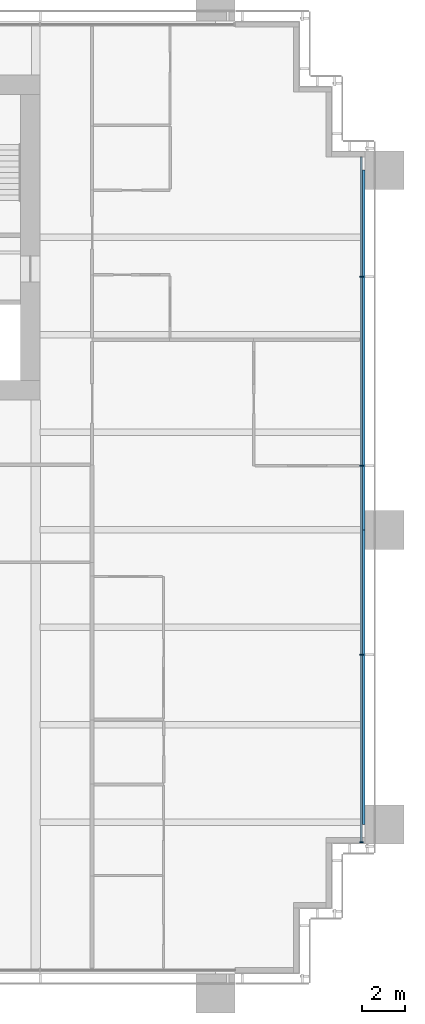
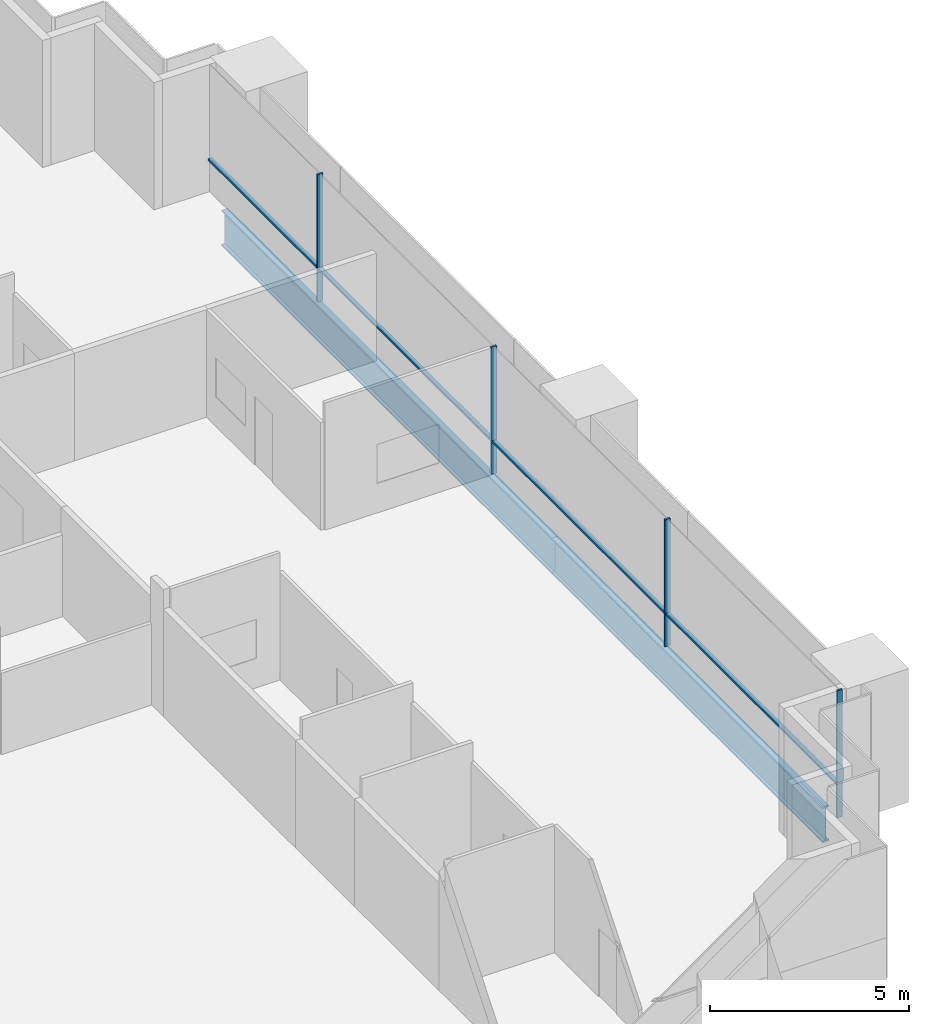
# One storey, part 9 of 20: 8 members, 2 beams, 1 element without a shape of its own.
"""IFC4 building model written with IfcOpenShell, lengths in metres."""

from ifc_helpers import new_model, si_unit, direction, frame, origin, origin_2d, place, context, subcontext, project, spatial, rectangle, i_section, extrude, material, material_profile, profile_set, type_object, element, aggregate, save


model = new_model("IFC4")

# Units and contexts
model_context = context("Model", 3, precision=1e-05, world=origin(), true_north=direction((0.0, 1.0)))
body_context = subcontext(model_context, "Body", "Model", "MODEL_VIEW")
ifc_project = project(units=[si_unit("LENGTHUNIT", "METRE"), si_unit("AREAUNIT", "SQUARE_METRE"), si_unit("VOLUMEUNIT", "CUBIC_METRE"), si_unit("PLANEANGLEUNIT", "RADIAN"), si_unit("MASSUNIT", "GRAM", prefix="KILO")], contexts=[model_context])

# Site, building, storey
site_placement = place(None, origin())
site = spatial("IfcSite", under=ifc_project, at=site_placement, CompositionType="ELEMENT")
building_placement = place(site_placement, origin())
building = spatial("IfcBuilding", under=site, at=building_placement, Name="Rattan Terrace Tower", CompositionType="ELEMENT")
storey_placement = place(building_placement, frame((0.0, 0.0, 40.60009765625)))
storey = spatial("IfcBuildingStorey", under=building, at=storey_placement, Name="L08", CompositionType="ELEMENT", Elevation=40.60009765625)

# Curtain wall, members
ifc_material_1 = material(Name="Aluminium and glass", Category="aluminium")
curtain_wall_type = type_object("IfcCurtainWallType", Name="Facade Unitised Curtain Wall", PredefinedType="NOTDEFINED", material=ifc_material_1)
curtain_wall_placement = place(storey_placement, origin())
curtain_wall = element("IfcCurtainWall", 1, at=curtain_wall_placement, inside=storey, type_object=curtain_wall_type, Name="Curtain wall L08-1", PredefinedType="NOTDEFINED")
ifc_material_2 = material(Name="Aluminium", Category="aluminium")
ifc_material_profile_1 = material_profile(ifc_material_2, rectangle(XDim=0.06005859375, YDim=0.159912109375, at=origin_2d()), Name="Aluminium 60x160")
ifc_profile_set_1 = profile_set([ifc_material_profile_1], Name="Aluminium")
member_type_1 = type_object("IfcMemberType", Name="Facade CW Mullion 60x160", PredefinedType="MULLION", material=ifc_profile_set_1)
member_1_placement = place(storey_placement, frame((32.830078125, -27.925048828125, 0.0), z_axis=(0.0, 0.0, 1.0), x_axis=(0.0, 1.0, 0.0)))
member_1 = element("IfcMember", 2, at=member_1_placement, type_object=member_type_1, Name="Mullion cwl-L08-001.1", PredefinedType="MULLION", context=body_context, shape_type="SweptSolid", body=[
    extrude(rectangle(XDim=0.06005859375, YDim=0.159912109375, at=origin_2d()), origin(), (0.0, 0.0, 1.0), 3.89990234375),
])
member_2_placement = place(storey_placement, frame((32.830078125, -19.27294921875, 0.0), z_axis=(0.0, 0.0, 1.0), x_axis=(0.0, 1.0, 0.0)))
member_2 = element("IfcMember", 3, at=member_2_placement, type_object=member_type_1, Name="Mullion cwl-L08-001.2", PredefinedType="MULLION", context=body_context, shape_type="SweptSolid", body=[
    extrude(rectangle(XDim=0.06005859375, YDim=0.159912109375, at=origin_2d()), origin(), (0.0, 0.0, 1.0), 3.89990234375),
])
member_3_placement = place(storey_placement, frame((32.830078125, -10.5458984375, 0.0), z_axis=(0.0, 0.0, 1.0), x_axis=(0.0, 1.0, 0.0)))
member_3 = element("IfcMember", 4, at=member_3_placement, type_object=member_type_1, Name="Mullion cwl-L08-001.3", PredefinedType="MULLION", context=body_context, shape_type="SweptSolid", body=[
    extrude(rectangle(XDim=0.06005859375, YDim=0.159912109375, at=origin_2d()), origin(), (0.0, 0.0, 1.0), 3.89990234375),
])
member_4_placement = place(storey_placement, frame((32.830078125, -1.819091796875, 0.0), z_axis=(0.0, 0.0, 1.0), x_axis=(0.0, 1.0, 0.0)))
member_4 = element("IfcMember", 5, at=member_4_placement, type_object=member_type_1, Name="Mullion cwl-L08-001.4", PredefinedType="MULLION", context=body_context, shape_type="SweptSolid", body=[
    extrude(rectangle(XDim=0.06005859375, YDim=0.159912109375, at=origin_2d()), origin(), (0.0, 0.0, 1.0), 3.89990234375),
])
ifc_material_3 = material(Name="Aluminium", Category="aluminium")
ifc_material_profile_2 = material_profile(ifc_material_3, rectangle(XDim=0.1201171875, YDim=0.06005859375, at=origin_2d()), Name="Aluminium 120x60")
ifc_profile_set_2 = profile_set([ifc_material_profile_2], Name="Aluminium")
member_type_2 = type_object("IfcMemberType", Name="Facade CW Transom 120x60", PredefinedType="USERDEFINED", material=ifc_profile_set_2)
member_5_placement = place(storey_placement, frame((32.830078125, -27.89501953125, 1.0), z_axis=(0.0, 1.0, 0.0), x_axis=(-1.0, 0.0, 0.0)))
member_5 = element("IfcMember", 6, at=member_5_placement, type_object=member_type_2, Name="Transom cwl-L08-001.1", ObjectType="TRANSOM", PredefinedType="USERDEFINED", context=body_context, shape_type="SweptSolid", body=[
    extrude(rectangle(XDim=0.1201171875, YDim=0.06005859375, at=origin_2d()), origin(), (0.0, 0.0, 1.0), 8.592041015625),
])
member_6_placement = place(storey_placement, frame((32.830078125, -19.242919921875, 1.0), z_axis=(0.0, 1.0, 0.0), x_axis=(-1.0, 0.0, 0.0)))
member_6 = element("IfcMember", 7, at=member_6_placement, type_object=member_type_2, Name="Transom cwl-L08-001.2", ObjectType="TRANSOM", PredefinedType="USERDEFINED", context=body_context, shape_type="SweptSolid", body=[
    extrude(rectangle(XDim=0.1201171875, YDim=0.06005859375, at=origin_2d()), origin(), (0.0, 0.0, 1.0), 8.6669921875),
])
member_7_placement = place(storey_placement, frame((32.830078125, -10.51611328125, 1.0), z_axis=(0.0, 1.0, 0.0), x_axis=(-1.0, 0.0, 0.0)))
member_7 = element("IfcMember", 8, at=member_7_placement, type_object=member_type_2, Name="Transom cwl-L08-001.3", ObjectType="TRANSOM", PredefinedType="USERDEFINED", context=body_context, shape_type="SweptSolid", body=[
    extrude(rectangle(XDim=0.1201171875, YDim=0.06005859375, at=origin_2d()), origin(), (0.0, 0.0, 1.0), 8.6669921875),
])
member_8_placement = place(storey_placement, frame((32.830078125, -1.7890625, 1.0), z_axis=(0.0, 1.0, 0.0), x_axis=(-1.0, 0.0, 0.0)))
member_8 = element("IfcMember", 9, at=member_8_placement, type_object=member_type_2, Name="Transom cwl-L08-001.4", ObjectType="TRANSOM", PredefinedType="USERDEFINED", context=body_context, shape_type="SweptSolid", body=[
    extrude(rectangle(XDim=0.1201171875, YDim=0.06005859375, at=origin_2d()), origin(), (0.0, 0.0, 1.0), 5.494140625),
])
aggregate(curtain_wall, [member_1, member_2, member_3, member_4, member_5, member_6, member_7, member_8])

# Beams
ifc_material_4 = material(Name="Steel S460", Category="steel")
ifc_material_profile_3 = material_profile(ifc_material_4, i_section(OverallWidth=0.179931640625, OverallDepth=1.10009765625, WebThickness=0.01611328125, FlangeThickness=0.050048828125, at=origin_2d()), Name="PG 1100x180-16-50")
ifc_profile_set_3 = profile_set([ifc_material_profile_3], Name="Steel S460")
beam_type = type_object("IfcBeamType", Name="Frame edge girder PG 1100x180-16-50", PredefinedType="SPANDREL", material=ifc_profile_set_3)
beam_1_placement = place(storey_placement, frame((32.909912109375, -27.10009765625, -0.75), z_axis=(0.0, 1.0, 0.0), x_axis=(-1.0, 0.0, 0.0)))
element("IfcBeam", 10, at=beam_1_placement, inside=storey, type_object=beam_type, Name="gdr-L08-005", PredefinedType="SPANDREL", context=body_context, shape_type="SweptSolid", body=[
    extrude(i_section(OverallWidth=0.179931640625, OverallDepth=1.10009765625, WebThickness=0.01611328125, FlangeThickness=0.050048828125, at=origin_2d()), origin(), (0.0, 0.0, 1.0), 13.60009765625),
])
beam_2_placement = place(storey_placement, frame((32.909912109375, -13.5, -0.75), z_axis=(0.0, 1.0, 0.0), x_axis=(-1.0, 0.0, 0.0)))
element("IfcBeam", 11, at=beam_2_placement, inside=storey, type_object=beam_type, Name="gdr-L08-007", PredefinedType="SPANDREL", context=body_context, shape_type="SweptSolid", body=[
    extrude(i_section(OverallWidth=0.179931640625, OverallDepth=1.10009765625, WebThickness=0.01611328125, FlangeThickness=0.050048828125, at=origin_2d()), origin(), (0.0, 0.0, 1.0), 16.60009765625),
])

save(model, "model.ifc")
